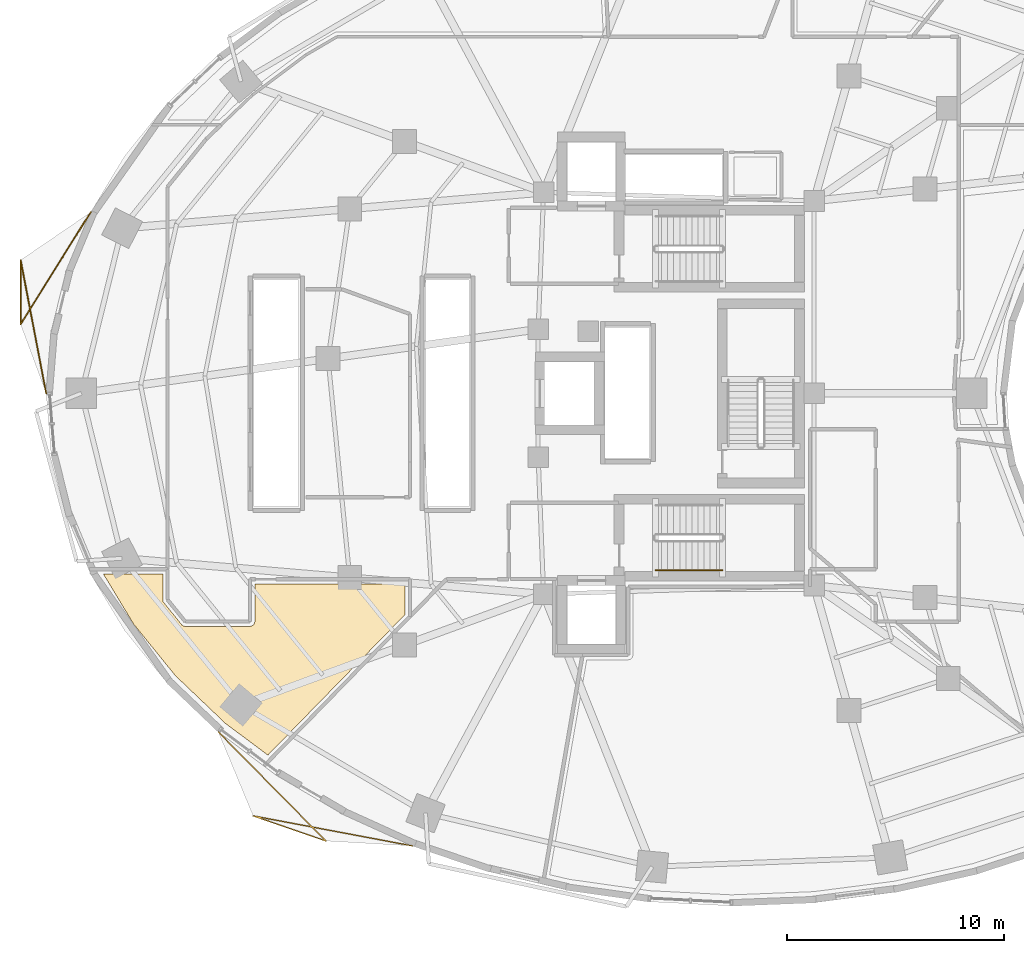
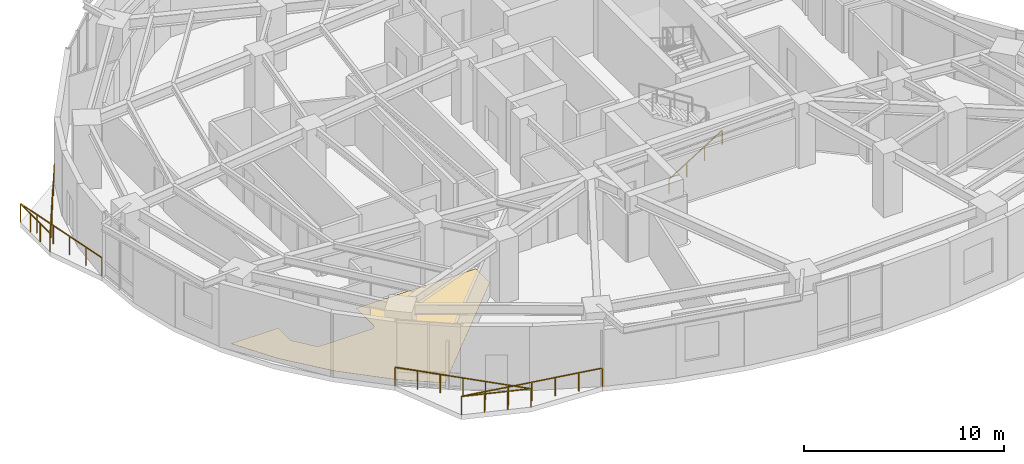
# One storey, part 12 of 14: 3 railings, 1 covering.
"""IFC4 building model written with IfcOpenShell, lengths in metres."""

from ifc_helpers import new_model, si_unit, direction, frame, origin, origin_2d, place, context, subcontext, project, spatial, polyline, rectangle, outline, extrude, material, layer, layer_set, type_object, element, save


model = new_model("IFC4")

# Units and contexts
model_context = context("Model", 3, precision=1e-05, world=origin(), true_north=direction((0.0, 1.0)))
body_context = subcontext(model_context, "Body", "Model", "MODEL_VIEW")
ifc_project = project(units=[si_unit("LENGTHUNIT", "METRE"), si_unit("AREAUNIT", "SQUARE_METRE"), si_unit("VOLUMEUNIT", "CUBIC_METRE"), si_unit("PLANEANGLEUNIT", "RADIAN"), si_unit("MASSUNIT", "GRAM", prefix="KILO")], contexts=[model_context])

# Site, building, storey
site_placement = place(None, origin())
site = spatial("IfcSite", under=ifc_project, at=site_placement, CompositionType="ELEMENT")
building_placement = place(site_placement, origin())
building = spatial("IfcBuilding", under=site, at=building_placement, Name="Korentha Bioscience Tower", CompositionType="ELEMENT")
storey_placement = place(building_placement, frame((0.0, 0.0, 51.0)))
storey = spatial("IfcBuildingStorey", under=building, at=storey_placement, Name="L11", CompositionType="ELEMENT", Elevation=51.0)

# Railings
ifc_material_1 = material(Name="Stainless Steel 304", Category="steel")
railing_type_1 = type_object("IfcRailingType", Name="Brushed Stainless Stair Handrail 900", PredefinedType="HANDRAIL", material=ifc_material_1)
railing_1_placement = place(storey_placement, frame((30.25, 18.85009765625, 0.175048828125)))
element("IfcRailing", 1, at=railing_1_placement, inside=storey, type_object=railing_type_1, Name="L11 ST-2 stair handrail 1", PredefinedType="HANDRAIL", context=body_context, shape_type="SweptSolid", body=[
    extrude(rectangle(XDim=0.048095703125, YDim=0.048095703125, at=origin_2d()), frame((0.0, 0.0, 0.8759765625), z_axis=(0.847998304005, 0.0, 0.529998940003), x_axis=(0.0, 1.0, 0.0)), (0.0, 0.0, 1.0), 3.632080078125),
    extrude(rectangle(XDim=0.0419921875, YDim=0.0419921875, at=origin_2d()), origin(), (0.0, 0.0, 1.0), 0.851806640625),
    extrude(rectangle(XDim=0.0419921875, YDim=0.0419921875, at=origin_2d()), frame((1.026611328125, 0.0, 0.6416015625)), (0.0, 0.0, 1.0), 0.851806640625),
    extrude(rectangle(XDim=0.0419921875, YDim=0.0419921875, at=origin_2d()), frame((2.053466796875, 0.0, 1.283447265625)), (0.0, 0.0, 1.0), 0.851806640625),
    extrude(rectangle(XDim=0.0419921875, YDim=0.0419921875, at=origin_2d()), frame((3.080078125, 0.0, 1.925048828125)), (0.0, 0.0, 1.0), 0.851806640625),
])
ifc_material_2 = material(Name="Laminated Tempered Safety Glass", Category="glass")
railing_type_2 = type_object("IfcRailingType", Name="Laminated Glass Balcony Guardrail 1150", PredefinedType="BALUSTRADE", material=ifc_material_2)
railing_2_placement = place(storey_placement, frame((4.246337890625, 35.3291015625, 0.0)))
element("IfcRailing", 2, at=railing_2_placement, inside=storey, type_object=railing_type_2, Name="L11 Balcony Guardrail 02", PredefinedType="BALUSTRADE", context=body_context, shape_type="SweptSolid", body=[
    extrude(rectangle(XDim=0.048095703125, YDim=0.048095703125, at=origin_2d()), frame((0.0, 0.0, 1.1259765625), z_axis=(-0.530529545818, -0.847666444431, 0.0), x_axis=(0.847666444431, -0.530529545818, 0.0)), (0.0, 0.0, 1.0), 6.07861328125),
    extrude(rectangle(XDim=0.048095703125, YDim=0.048095703125, at=origin_2d()), frame((-3.224853515625, -5.152587890625, 1.1259765625), z_axis=(0.001898939773, 0.999998197012, 0.0), x_axis=(-0.999998197012, 0.001898939773, 0.0)), (0.0, 0.0, 1.0), 2.95703125),
    extrude(rectangle(XDim=0.048095703125, YDim=0.048095703125, at=origin_2d()), frame((-3.21923828125, -2.195556640625, 1.1259765625), z_axis=(0.18781629778, -0.982204173422, 0.0), x_axis=(0.982204173422, 0.18781629778, 0.0)), (0.0, 0.0, 1.0), 6.24462890625),
    extrude(rectangle(XDim=0.0419921875, YDim=0.0419921875, at=origin_2d()), origin(), (0.0, 0.0, 1.0), 1.101806640625),
    extrude(rectangle(XDim=0.0419921875, YDim=0.0419921875, at=origin_2d()), frame((-0.64501953125, -1.030517578125, 0.0)), (0.0, 0.0, 1.0), 1.101806640625),
    extrude(rectangle(XDim=0.0419921875, YDim=0.0419921875, at=origin_2d()), frame((-1.2900390625, -2.06103515625, 0.0)), (0.0, 0.0, 1.0), 1.101806640625),
    extrude(rectangle(XDim=0.0419921875, YDim=0.0419921875, at=origin_2d()), frame((-1.934814453125, -3.091552734375, 0.0)), (0.0, 0.0, 1.0), 1.101806640625),
    extrude(rectangle(XDim=0.0419921875, YDim=0.0419921875, at=origin_2d()), frame((-2.579833984375, -4.1220703125, 0.0)), (0.0, 0.0, 1.0), 1.101806640625),
    extrude(rectangle(XDim=0.0419921875, YDim=0.0419921875, at=origin_2d()), frame((-3.224853515625, -5.152587890625, 0.0)), (0.0, 0.0, 1.0), 1.101806640625),
    extrude(rectangle(XDim=0.0419921875, YDim=0.0419921875, at=origin_2d()), frame((-3.222900390625, -4.1669921875, 0.0)), (0.0, 0.0, 1.0), 1.101806640625),
    extrude(rectangle(XDim=0.0419921875, YDim=0.0419921875, at=origin_2d()), frame((-3.22119140625, -3.18115234375, 0.0)), (0.0, 0.0, 1.0), 1.101806640625),
    extrude(rectangle(XDim=0.0419921875, YDim=0.0419921875, at=origin_2d()), frame((-3.21923828125, -2.195556640625, 0.0)), (0.0, 0.0, 1.0), 1.101806640625),
    extrude(rectangle(XDim=0.0419921875, YDim=0.0419921875, at=origin_2d()), frame((-2.984619140625, -3.42236328125, 0.0)), (0.0, 0.0, 1.0), 1.101806640625),
    extrude(rectangle(XDim=0.0419921875, YDim=0.0419921875, at=origin_2d()), frame((-2.75, -4.64892578125, 0.0)), (0.0, 0.0, 1.0), 1.101806640625),
    extrude(rectangle(XDim=0.0419921875, YDim=0.0419921875, at=origin_2d()), frame((-2.515625, -5.875732421875, 0.0)), (0.0, 0.0, 1.0), 1.101806640625),
    extrude(rectangle(XDim=0.0419921875, YDim=0.0419921875, at=origin_2d()), frame((-2.281005859375, -7.102294921875, 0.0)), (0.0, 0.0, 1.0), 1.101806640625),
    extrude(rectangle(XDim=0.0419921875, YDim=0.0419921875, at=origin_2d()), frame((-2.04638671875, -8.3291015625, 0.0)), (0.0, 0.0, 1.0), 1.101806640625),
])
railing_3_placement = place(storey_placement, frame((10.1220703125, 11.41357421875, 0.0)))
element("IfcRailing", 3, at=railing_3_placement, inside=storey, type_object=railing_type_2, Name="L11 Balcony Guardrail 03", PredefinedType="BALUSTRADE", context=body_context, shape_type="SweptSolid", body=[
    extrude(rectangle(XDim=0.048095703125, YDim=0.048095703125, at=origin_2d()), frame((0.0, 0.0, 1.1259765625), z_axis=(0.702297818863, -0.711883258421, 0.0), x_axis=(0.711883258421, 0.702297818863, 0.0)), (0.0, 0.0, 1.0), 7.05517578125),
    extrude(rectangle(XDim=0.048095703125, YDim=0.048095703125, at=origin_2d()), frame((4.954833984375, -5.0224609375, 1.1259765625), z_axis=(-0.945411031533, 0.325880317687, 0.0), x_axis=(-0.325880317687, -0.945411031533, 0.0)), (0.0, 0.0, 1.0), 3.545166015625),
    extrude(rectangle(XDim=0.048095703125, YDim=0.048095703125, at=origin_2d()), frame((1.603271484375, -3.8671875, 1.1259765625), z_axis=(0.982707994599, -0.185162084002, 0.0), x_axis=(0.185162084002, 0.982707994599, 0.0)), (0.0, 0.0, 1.0), 7.474609375),
    extrude(rectangle(XDim=0.0419921875, YDim=0.0419921875, at=origin_2d()), origin(), (0.0, 0.0, 1.0), 1.101806640625),
    extrude(rectangle(XDim=0.0419921875, YDim=0.0419921875, at=origin_2d()), frame((0.82568359375, -0.837158203125, 0.0)), (0.0, 0.0, 1.0), 1.101806640625),
    extrude(rectangle(XDim=0.0419921875, YDim=0.0419921875, at=origin_2d()), frame((1.651611328125, -1.674072265625, 0.0)), (0.0, 0.0, 1.0), 1.101806640625),
    extrude(rectangle(XDim=0.0419921875, YDim=0.0419921875, at=origin_2d()), frame((2.4775390625, -2.51123046875, 0.0)), (0.0, 0.0, 1.0), 1.101806640625),
    extrude(rectangle(XDim=0.0419921875, YDim=0.0419921875, at=origin_2d()), frame((3.30322265625, -3.348388671875, 0.0)), (0.0, 0.0, 1.0), 1.101806640625),
    extrude(rectangle(XDim=0.0419921875, YDim=0.0419921875, at=origin_2d()), frame((4.12890625, -4.185302734375, 0.0)), (0.0, 0.0, 1.0), 1.101806640625),
    extrude(rectangle(XDim=0.0419921875, YDim=0.0419921875, at=origin_2d()), frame((4.954833984375, -5.0224609375, 0.0)), (0.0, 0.0, 1.0), 1.101806640625),
    extrude(rectangle(XDim=0.0419921875, YDim=0.0419921875, at=origin_2d()), frame((3.837646484375, -4.637451171875, 0.0)), (0.0, 0.0, 1.0), 1.101806640625),
    extrude(rectangle(XDim=0.0419921875, YDim=0.0419921875, at=origin_2d()), frame((2.720458984375, -4.252197265625, 0.0)), (0.0, 0.0, 1.0), 1.101806640625),
    extrude(rectangle(XDim=0.0419921875, YDim=0.0419921875, at=origin_2d()), frame((1.603271484375, -3.8671875, 0.0)), (0.0, 0.0, 1.0), 1.101806640625),
    extrude(rectangle(XDim=0.0419921875, YDim=0.0419921875, at=origin_2d()), frame((2.82763671875, -4.097900390625, 0.0)), (0.0, 0.0, 1.0), 1.101806640625),
    extrude(rectangle(XDim=0.0419921875, YDim=0.0419921875, at=origin_2d()), frame((4.0517578125, -4.32861328125, 0.0)), (0.0, 0.0, 1.0), 1.101806640625),
    extrude(rectangle(XDim=0.0419921875, YDim=0.0419921875, at=origin_2d()), frame((5.27587890625, -4.55908203125, 0.0)), (0.0, 0.0, 1.0), 1.101806640625),
    extrude(rectangle(XDim=0.0419921875, YDim=0.0419921875, at=origin_2d()), frame((6.500244140625, -4.789794921875, 0.0)), (0.0, 0.0, 1.0), 1.101806640625),
    extrude(rectangle(XDim=0.0419921875, YDim=0.0419921875, at=origin_2d()), frame((7.724609375, -5.0205078125, 0.0)), (0.0, 0.0, 1.0), 1.101806640625),
    extrude(rectangle(XDim=0.0419921875, YDim=0.0419921875, at=origin_2d()), frame((8.94873046875, -5.251220703125, 0.0)), (0.0, 0.0, 1.0), 1.101806640625),
])

# Covering
ifc_material_3 = material(Name="Chemical-Resistant Epoxy Resin", Category="polymer")
ifc_layer = layer(ifc_material_3, 0.011962890625, Name="Chemical-Resistant Epoxy Resin")
ifc_layer_set = layer_set([ifc_layer], Name="Chemical-Resistant Epoxy Resin (FL-EPX)")
covering_type = type_object("IfcCoveringType", Name="Seamless Epoxy Laboratory Flooring 12", PredefinedType="FLOORING", material=ifc_layer_set)
covering_placement = place(storey_placement, origin())
element("IfcCovering", 4, at=covering_placement, inside=storey, type_object=covering_type, Name="L11 Staff Pantry Kitchenette 02 Floor Finish", PredefinedType="FLOORING", context=body_context, shape_type="SweptSolid", body=[
    extrude(outline(polyline([(7.570068359375, 18.677978515625), (7.570068359375, 17.498779296875), (7.591552734375, 17.40185546875), (8.43701171875, 16.346923828125), (8.489990234375, 16.302978515625), (8.57421875, 16.272705078125), (11.580078125, 16.27001953125), (11.69873046875, 16.302978515625), (11.777587890625, 16.382080078125), (11.809814453125, 16.48828125), (11.81005859375, 18.219970703125), (18.72802734375, 18.219970703125), (18.72802734375, 16.81884765625), (12.406982421875, 10.341552734375), (10.451904296875, 11.8037109375), (8.15087890625, 13.998046875), (6.225830078125, 16.3759765625), (4.83740234375, 18.677978515625), (7.570068359375, 18.677978515625)])), origin(), (0.0, 0.0, 1.0), 0.011962890625),
])

save(model, "model.ifc")
